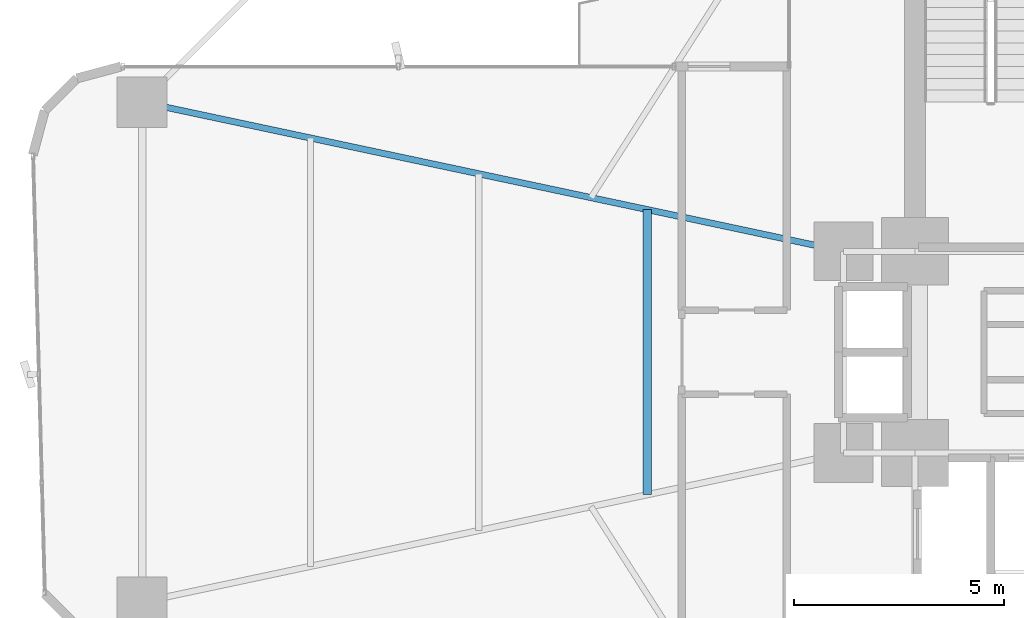
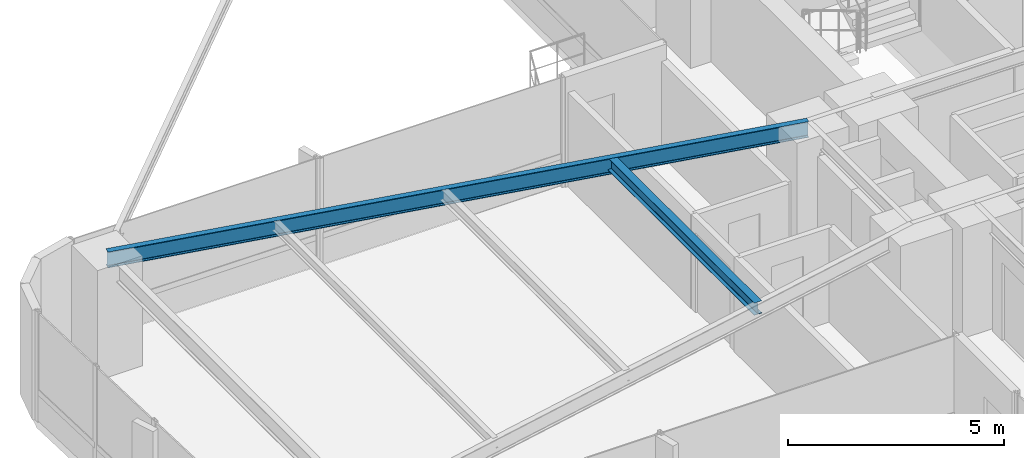
# One storey, part 9 of 25: 2 beams.
"""IFC4 building model written with IfcOpenShell, lengths in metres."""

from ifc_helpers import new_model, si_unit, direction, frame, origin, origin_2d, place, context, subcontext, project, spatial, i_section, extrude, source, transform, mapped, material, material_profile, profile_set, type_object, element, save


model = new_model("IFC4")

# Units and contexts
model_context = context("Model", 3, precision=1e-05, world=origin(), true_north=direction((0.0, 1.0)))
body_context = subcontext(model_context, "Body", "Model", "MODEL_VIEW")
ifc_project = project(units=[si_unit("LENGTHUNIT", "METRE"), si_unit("AREAUNIT", "SQUARE_METRE"), si_unit("VOLUMEUNIT", "CUBIC_METRE"), si_unit("PLANEANGLEUNIT", "RADIAN"), si_unit("MASSUNIT", "GRAM", prefix="KILO")], contexts=[model_context])

# Site, building, storey
site_placement = place(None, origin())
site = spatial("IfcSite", under=ifc_project, at=site_placement, CompositionType="ELEMENT")
building_placement = place(site_placement, origin())
building = spatial("IfcBuilding", under=site, at=building_placement, Name="Sahyath Konkavel Grand Hotel", CompositionType="ELEMENT")
storey_placement = place(building_placement, frame((0.0, 0.0, 39.85009765625)))
storey = spatial("IfcBuildingStorey", under=building, at=storey_placement, Name="L10", CompositionType="ELEMENT", Elevation=39.85009765625)

# Beams
ifc_material = material(Name="Steel E350", Category="steel")
ifc_material_profile_1 = material_profile(ifc_material, i_section(OverallWidth=0.14990234375, OverallDepth=0.449951171875, WebThickness=0.009521484375, FlangeThickness=0.017333984375, FilletRadius=0.014892578125, at=origin_2d()), Name="ISMB 450")
ifc_profile_set_1 = profile_set([ifc_material_profile_1], Name="Steel E350")
beam_type_1 = type_object("IfcBeamType", Name="BM-ISMB450", PredefinedType="BEAM", material=ifc_profile_set_1)
shared_shape_1 = source(origin(), body_context, "Body", "SweptSolid", [
    extrude(i_section(OverallWidth=0.14990234375, OverallDepth=0.449951171875, WebThickness=0.009521484375, FlangeThickness=0.017333984375, FilletRadius=0.014892578125, at=origin_2d()), origin(), (0.0, 0.0, 1.0), 17.072998046875),
])
beam_1_placement = place(storey_placement, frame((-5.5, 2.39990234375, 2.885009765625), z_axis=(-0.978143257225, 0.20793212437, 0.0), x_axis=(-0.20793212437, -0.978143257225, 0.0)))
element("IfcBeam", 1, at=beam_1_placement, inside=storey, type_object=beam_type_1, Name="L10 Cruciform Radial Girder WA", PredefinedType="BEAM", context=body_context, shape_type="MappedRepresentation", body=[
    mapped(shared_shape_1, transform((0.0, 0.0, 0.0), scale=1.0)),
])
ifc_material_profile_2 = material_profile(ifc_material, i_section(OverallWidth=0.199951171875, OverallDepth=0.35009765625, WebThickness=0.008056640625, FlangeThickness=0.011474609375, FilletRadius=0.013916015625, at=origin_2d()), Name="ISWB 350")
ifc_profile_set_2 = profile_set([ifc_material_profile_2], Name="Steel E350")
beam_type_2 = type_object("IfcBeamType", Name="BM-ISWB350", PredefinedType="BEAM", material=ifc_profile_set_2)
shared_shape_2 = source(origin(), body_context, "Body", "SweptSolid", [
    extrude(i_section(OverallWidth=0.199951171875, OverallDepth=0.35009765625, WebThickness=0.008056640625, FlangeThickness=0.011474609375, FilletRadius=0.013916015625, at=origin_2d()), origin(), (0.0, 0.0, 1.0), 6.7880859375),
])
beam_2_placement = place(storey_placement, frame((-10.176025390625, 3.39404296875, 2.934814453125), z_axis=(0.0, -1.0, 0.0), x_axis=(1.0, 0.0, 0.0)))
element("IfcBeam", 2, at=beam_2_placement, inside=storey, type_object=beam_type_2, Name="L10 Secondary Floor Beam W-1", PredefinedType="BEAM", context=body_context, shape_type="MappedRepresentation", body=[
    mapped(shared_shape_2, transform((0.0, 0.0, 0.0), scale=1.0)),
])

save(model, "model.ifc")
